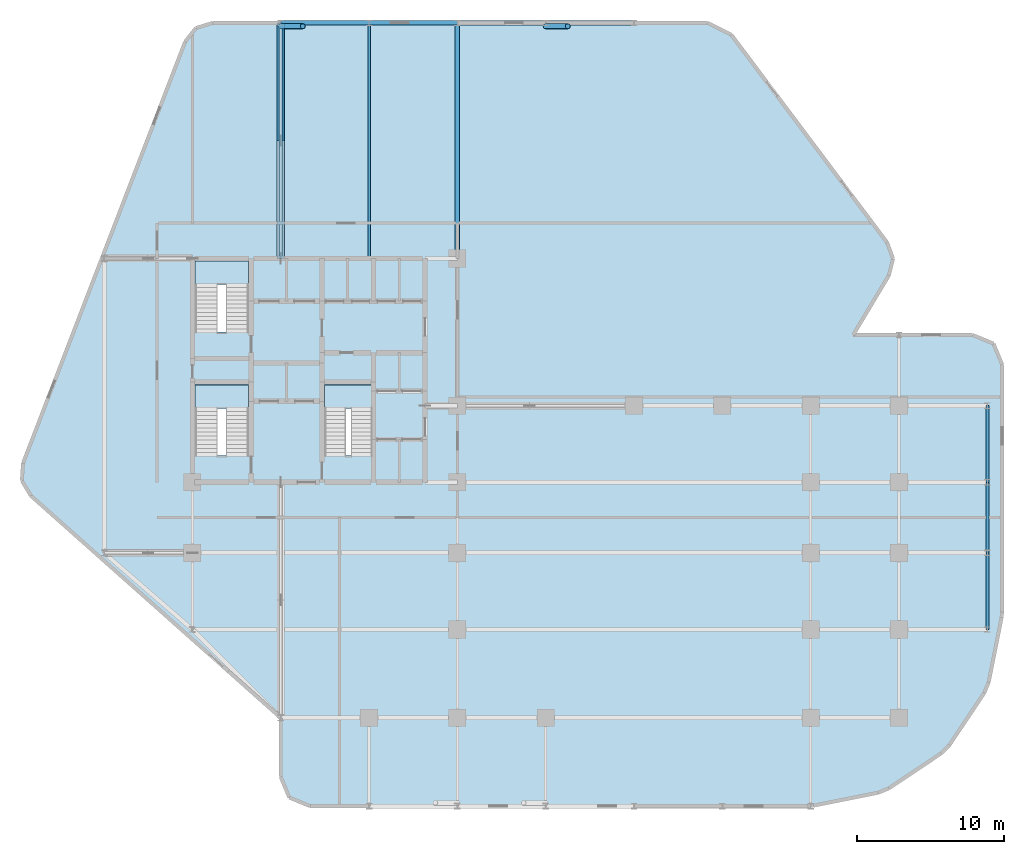
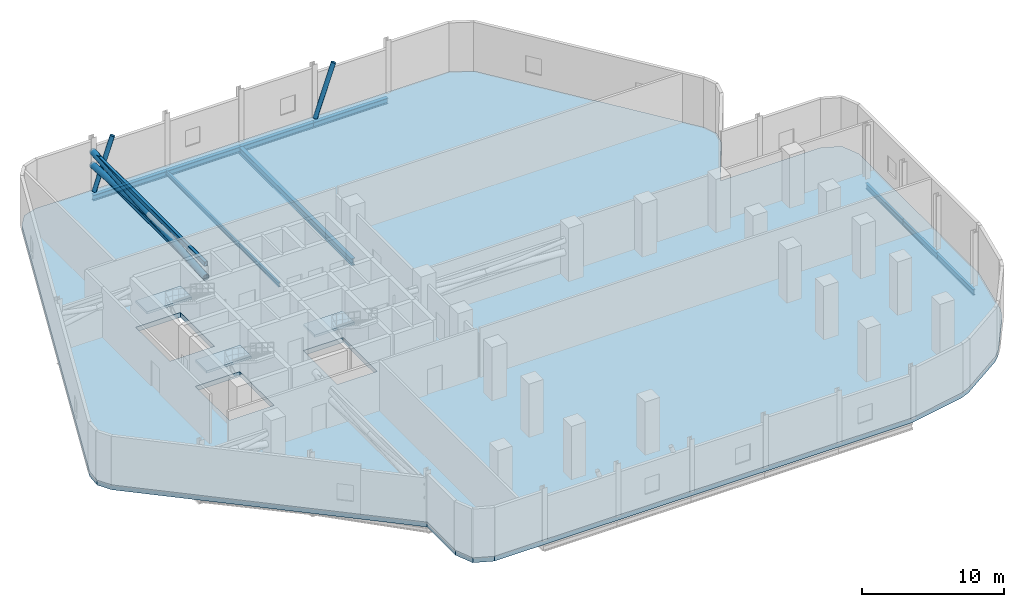
# One storey, part 4 of 9: 9 beams, 6 members, 4 slabs, 3 elements without a shape of their own.
"""IFC4 building model written with IfcOpenShell, lengths in metres."""

from ifc_helpers import new_model, si_unit, direction, frame, origin, origin_2d, place, context, subcontext, project, spatial, polyline, hollow_rectangle, hollow_circle, i_section, outline, extrude, material, layer, layer_set, material_profile, profile_set, type_object, element, aggregate, save


model = new_model("IFC4")

# Units and contexts
model_context = context("Model", 3, precision=1e-05, world=origin(), true_north=direction((0.0, 1.0)))
body_context = subcontext(model_context, "Body", "Model", "MODEL_VIEW")
ifc_project = project(units=[si_unit("LENGTHUNIT", "METRE"), si_unit("AREAUNIT", "SQUARE_METRE"), si_unit("VOLUMEUNIT", "CUBIC_METRE"), si_unit("PLANEANGLEUNIT", "RADIAN"), si_unit("MASSUNIT", "GRAM", prefix="KILO")], contexts=[model_context])

# Site, building, storey
site_placement = place(None, origin())
site = spatial("IfcSite", under=ifc_project, at=site_placement, CompositionType="ELEMENT")
building_placement = place(site_placement, origin())
building = spatial("IfcBuilding", under=site, at=building_placement, Name="Keshet Zoharim Tower", CompositionType="ELEMENT")
storey_placement = place(building_placement, frame((0.0, 0.0, 61.0)))
storey = spatial("IfcBuildingStorey", under=building, at=storey_placement, Name="L14", CompositionType="ELEMENT", Elevation=61.0)

# Beams
ifc_material_1 = material(Name="Steel S355", Category="steel")
ifc_material_profile_1 = material_profile(ifc_material_1, i_section(OverallWidth=0.169921875, OverallDepth=0.360107421875, WebThickness=0.008056640625, FlangeThickness=0.0126953125, FilletRadius=0.01806640625, at=origin_2d()), Name="IPE360")
ifc_profile_set_1 = profile_set([ifc_material_profile_1], Name="Steel S355")
beam_type_1 = type_object("IfcBeamType", Name="BM-JST-IP360", PredefinedType="JOIST", material=ifc_profile_set_1)
beam_1_placement = place(storey_placement, frame((27.0, 37.89990234375, -0.60009765625), z_axis=(0.0, 1.0, 0.0), x_axis=(-1.0, 0.0, 0.0)))
element("IfcBeam", 1, at=beam_1_placement, inside=storey, type_object=beam_type_1, Name="L14 Secondary Floor Joist J-002", PredefinedType="JOIST", context=body_context, shape_type="SweptSolid", body=[
    extrude(i_section(OverallWidth=0.169921875, OverallDepth=0.360107421875, WebThickness=0.008056640625, FlangeThickness=0.0126953125, FilletRadius=0.01806640625, at=origin_2d()), origin(), (0.0, 0.0, 1.0), 16.0),
])
ifc_material_profile_2 = material_profile(ifc_material_1, i_section(OverallWidth=0.300048828125, OverallDepth=0.60009765625, WebThickness=0.015380859375, FlangeThickness=0.030029296875, FilletRadius=0.027099609375, at=origin_2d()), Name="HEB600")
ifc_profile_set_2 = profile_set([ifc_material_profile_2], Name="Steel S355")
beam_type_2 = type_object("IfcBeamType", Name="BM-LNG-HB600", PredefinedType="BEAM", material=ifc_profile_set_2)
beam_2_placement = place(storey_placement, frame((33.0, 37.89990234375, -0.719970703125), z_axis=(0.0, 1.0, 0.0), x_axis=(-1.0, 0.0, 0.0)))
element("IfcBeam", 2, at=beam_2_placement, inside=storey, type_object=beam_type_2, Name="L14 Primary Girder Y-011", PredefinedType="BEAM", context=body_context, shape_type="SweptSolid", body=[
    extrude(i_section(OverallWidth=0.300048828125, OverallDepth=0.60009765625, WebThickness=0.015380859375, FlangeThickness=0.030029296875, FilletRadius=0.027099609375, at=origin_2d()), origin(), (0.0, 0.0, 1.0), 16.0),
])
ifc_material_profile_3 = material_profile(ifc_material_1, i_section(OverallWidth=0.199951171875, OverallDepth=0.5, WebThickness=0.01025390625, FlangeThickness=0.01611328125, FilletRadius=0.02099609375, at=origin_2d()), Name="IPE500")
ifc_profile_set_3 = profile_set([ifc_material_profile_3], Name="Steel S355")
beam_type_3 = type_object("IfcBeamType", Name="BM-PRI-IP500", PredefinedType="BEAM", material=ifc_profile_set_3)
beam_3_placement = place(storey_placement, frame((69.0, 12.699951171875, -0.669921875), z_axis=(0.0, 1.0, 0.0), x_axis=(-1.0, 0.0, 0.0)))
element("IfcBeam", 3, at=beam_3_placement, inside=storey, type_object=beam_type_3, Name="L14 Primary Girder Y-023", PredefinedType="BEAM", context=body_context, shape_type="SweptSolid", body=[
    extrude(i_section(OverallWidth=0.199951171875, OverallDepth=0.5, WebThickness=0.01025390625, FlangeThickness=0.01611328125, FilletRadius=0.02099609375, at=origin_2d()), origin(), (0.0, 0.0, 1.0), 5.199951171875),
])
beam_4_placement = place(storey_placement, frame((69.0, 17.89990234375, -0.669921875), z_axis=(0.0, 1.0, 0.0), x_axis=(-1.0, 0.0, 0.0)))
element("IfcBeam", 4, at=beam_4_placement, inside=storey, type_object=beam_type_3, Name="L14 Primary Girder Y-024", PredefinedType="BEAM", context=body_context, shape_type="SweptSolid", body=[
    extrude(i_section(OverallWidth=0.199951171875, OverallDepth=0.5, WebThickness=0.01025390625, FlangeThickness=0.01611328125, FilletRadius=0.02099609375, at=origin_2d()), origin(), (0.0, 0.0, 1.0), 4.800048828125),
])
beam_5_placement = place(storey_placement, frame((69.0, 22.699951171875, -0.669921875), z_axis=(0.0, 1.0, 0.0), x_axis=(-1.0, 0.0, 0.0)))
element("IfcBeam", 5, at=beam_5_placement, inside=storey, type_object=beam_type_3, Name="L14 Primary Girder Y-025", PredefinedType="BEAM", context=body_context, shape_type="SweptSolid", body=[
    extrude(i_section(OverallWidth=0.199951171875, OverallDepth=0.5, WebThickness=0.01025390625, FlangeThickness=0.01611328125, FilletRadius=0.02099609375, at=origin_2d()), origin(), (0.0, 0.0, 1.0), 5.199951171875),
])
ifc_material_profile_4 = material_profile(ifc_material_1, i_section(OverallWidth=0.300048828125, OverallDepth=0.5, WebThickness=0.014404296875, FlangeThickness=0.028076171875, FilletRadius=0.027099609375, at=origin_2d()), Name="HEB500")
ifc_profile_set_4 = profile_set([ifc_material_profile_4], Name="Steel S355")
beam_type_4 = type_object("IfcBeamType", Name="BM-WEB-HB500", PredefinedType="BEAM", material=ifc_profile_set_4)
for number, where, z_axis, x_axis, name in (
    (6, (21.0, 53.89990234375, -0.669921875), (1.0, 0.0, 0.0), (0.0, 1.0, 0.0), "L14 Primary Girder X-029"),
    (7, (27.0, 53.89990234375, -0.669921875), (1.0, 0.0, 0.0), (0.0, 1.0, 0.0), "L14 Primary Girder X-030"),
    (8, (33.0, 53.89990234375, -0.669921875), (1.0, 0.0, 0.0), (0.0, 1.0, 0.0), "L14 Primary Girder X-031"),
    (9, (39.0, 53.89990234375, -0.669921875), (1.0, 0.0, 0.0), (0.0, 1.0, 0.0), "L14 Primary Girder X-032"),
):
    element("IfcBeam", number, at=place(storey_placement, frame(where, z_axis=z_axis, x_axis=x_axis)), inside=storey, type_object=beam_type_4, Name=name, PredefinedType="BEAM", context=body_context, shape_type="SweptSolid", body=[
        extrude(i_section(OverallWidth=0.300048828125, OverallDepth=0.5, WebThickness=0.014404296875, FlangeThickness=0.028076171875, FilletRadius=0.027099609375, at=origin_2d()), origin(), (0.0, 0.0, 1.0), 6.0),
    ])

# Members
ifc_material_profile_5 = material_profile(ifc_material_1, hollow_circle(Radius=0.177734375, WallThickness=0.012451171875, at=origin_2d()), Name="CHS355x12.5")
ifc_profile_set_5 = profile_set([ifc_material_profile_5], Name="Steel S355")
member_type_1 = type_object("IfcMemberType", Name="MB-BR-C355", PredefinedType="BRACE", material=ifc_profile_set_5)
for number, where, z_axis, x_axis, name in (
    (10, (21.0, 53.679931640625, 0.0), (0.330741244868, 0.0, 0.943721478479), (0.0, 1.0, 0.0), "L14 Perimeter Tube Brace 01"),
    (11, (39.0, 53.679931640625, 0.0), (0.330741244868, 0.0, 0.943721478479), (0.0, 1.0, 0.0), "L14 Perimeter Tube Brace 04"),
):
    element("IfcMember", number, at=place(storey_placement, frame(where, z_axis=z_axis, x_axis=x_axis)), inside=storey, type_object=member_type_1, Name=name, PredefinedType="BRACE", context=body_context, shape_type="SweptSolid", body=[
        extrude(hollow_circle(Radius=0.177734375, WallThickness=0.012451171875, at=origin_2d()), origin(), (0.0, 0.0, 1.0), 4.53515625),
    ])
ifc_material_profile_6 = material_profile(ifc_material_1, hollow_circle(Radius=0.25390625, WallThickness=0.02001953125, at=origin_2d()), Name="CHS508x20")
ifc_profile_set_6 = profile_set([ifc_material_profile_6], Name="Steel S355")
member_type_2 = type_object("IfcMemberType", Name="MB-OUTR-C508", PredefinedType="BRACE", material=ifc_profile_set_6)
member_1_placement = place(storey_placement, frame((21.0, 37.89990234375, 2.14990234375), z_axis=(0.0, 0.997336289348, 0.072940564497), x_axis=(-1.0, 0.0, 0.0)))
element("IfcMember", 12, at=member_1_placement, inside=storey, type_object=member_type_2, Name="L14 Core Outrigger Continuous Brace 1-N1", PredefinedType="BRACE", context=body_context, shape_type="SweptSolid", body=[
    extrude(hollow_circle(Radius=0.25390625, WallThickness=0.02001953125, at=origin_2d()), origin(), (0.0, 0.0, 1.0), 16.042724609375),
])
member_2_placement = place(storey_placement, frame((21.0, 53.89990234375, 2.14990234375), z_axis=(0.0, -0.997335182171, 0.07295570165), x_axis=(1.0, 0.0, 0.0)))
element("IfcMember", 13, at=member_2_placement, inside=storey, type_object=member_type_2, Name="L14 Core Outrigger Split Brace 2A-N1", PredefinedType="BRACE", context=body_context, shape_type="SweptSolid", body=[
    extrude(hollow_circle(Radius=0.25390625, WallThickness=0.02001953125, at=origin_2d()), origin(), (0.0, 0.0, 1.0), 8.021484375),
])
ifc_material_profile_7 = material_profile(ifc_material_1, hollow_rectangle(XDim=0.199951171875, YDim=0.300048828125, WallThickness=0.012451171875, InnerFilletRadius=0.011962890625, OuterFilletRadius=0.01904296875, at=origin_2d()), Name="RHS300x200x12.5")
ifc_profile_set_7 = profile_set([ifc_material_profile_7], Name="Steel S355")
member_type_3 = type_object("IfcMemberType", Name="MB-OUTR-S300", PredefinedType="STRUT", material=ifc_profile_set_7)
member_3_placement = place(storey_placement, frame((21.0, 37.89990234375, 2.14990234375), z_axis=(0.0, 1.0, 0.0), x_axis=(-1.0, 0.0, 0.0)))
element("IfcMember", 14, at=member_3_placement, inside=storey, type_object=member_type_3, Name="L14 Core Outrigger Bottom Strut N1", PredefinedType="STRUT", context=body_context, shape_type="SweptSolid", body=[
    extrude(hollow_rectangle(XDim=0.199951171875, YDim=0.300048828125, WallThickness=0.012451171875, InnerFilletRadius=0.011962890625, OuterFilletRadius=0.01904296875, at=origin_2d()), origin(), (0.0, 0.0, 1.0), 16.0),
])
ifc_material_profile_8 = material_profile(ifc_material_1, hollow_rectangle(XDim=0.25, YDim=0.35009765625, WallThickness=0.01416015625, InnerFilletRadius=0.013916015625, OuterFilletRadius=0.02099609375, at=origin_2d()), Name="RHS350x250x14.2")
ifc_profile_set_8 = profile_set([ifc_material_profile_8], Name="Steel S355")
member_type_4 = type_object("IfcMemberType", Name="MB-OUTR-T350", PredefinedType="CHORD", material=ifc_profile_set_8)
member_4_placement = place(storey_placement, frame((21.0, 37.89990234375, 3.320068359375), z_axis=(0.0, 1.0, 0.0), x_axis=(-1.0, 0.0, 0.0)))
element("IfcMember", 15, at=member_4_placement, inside=storey, type_object=member_type_4, Name="L14 Core Outrigger Top Chord N1", PredefinedType="CHORD", context=body_context, shape_type="SweptSolid", body=[
    extrude(hollow_rectangle(XDim=0.25, YDim=0.35009765625, WallThickness=0.01416015625, InnerFilletRadius=0.013916015625, OuterFilletRadius=0.02099609375, at=origin_2d()), origin(), (0.0, 0.0, 1.0), 16.0),
])

# Stair, slab
ifc_material_2 = material(Name="Concrete C50/60", Category="concrete")
stair_type = type_object("IfcStairType", Name="STR-EXIT-135", PredefinedType="HALF_TURN_STAIR", material=ifc_material_2)
stair_1_placement = place(storey_placement, origin())
stair_1 = element("IfcStair", 16, at=stair_1_placement, inside=storey, type_object=stair_type, Name="L14 Enclosed Exit Stair ST-01", PredefinedType="HALF_TURN_STAIR")
ifc_layer_1 = layer(ifc_material_2, 0.199951171875)
ifc_layer_set_1 = layer_set([ifc_layer_1], Name="Concrete C50/60")
slab_type_1 = type_object("IfcSlabType", Name="SLB-LND-200", PredefinedType="LANDING", material=ifc_layer_set_1)
slab_1_placement = place(storey_placement, frame((0.0, 0.0, 2.10009765625)))
slab_1 = element("IfcSlab", 17, at=slab_1_placement, type_object=slab_type_1, Name="ST-01 landing 1", PredefinedType="LANDING", context=body_context, shape_type="SweptSolid", body=[
    extrude(outline(polyline([(15.179931640625, 27.719970703125), (18.820068359375, 27.719970703125), (18.820068359375, 29.320068359375), (15.179931640625, 29.320068359375), (15.179931640625, 27.719970703125)])), origin(), (0.0, 0.0, 1.0), 0.199951171875),
])
aggregate(stair_1, [slab_1])

stair_2_placement = place(storey_placement, origin())
stair_2 = element("IfcStair", 18, at=stair_2_placement, inside=storey, type_object=stair_type, Name="L14 Enclosed Exit Stair ST-02", PredefinedType="HALF_TURN_STAIR")
slab_2_placement = place(storey_placement, frame((0.0, 0.0, 2.10009765625)))
slab_2 = element("IfcSlab", 19, at=slab_2_placement, type_object=slab_type_1, Name="ST-02 landing 1", PredefinedType="LANDING", context=body_context, shape_type="SweptSolid", body=[
    extrude(outline(polyline([(15.179931640625, 36.1201171875), (18.820068359375, 36.1201171875), (18.820068359375, 37.719970703125), (15.179931640625, 37.719970703125), (15.179931640625, 36.1201171875)])), origin(), (0.0, 0.0, 1.0), 0.199951171875),
])
aggregate(stair_2, [slab_2])

stair_3_placement = place(storey_placement, origin())
stair_3 = element("IfcStair", 20, at=stair_3_placement, inside=storey, type_object=stair_type, Name="L14 Enclosed Exit Stair ST-03", PredefinedType="HALF_TURN_STAIR")
slab_3_placement = place(storey_placement, frame((0.0, 0.0, 2.10009765625)))
slab_3 = element("IfcSlab", 21, at=slab_3_placement, type_object=slab_type_1, Name="ST-03 landing 1", PredefinedType="LANDING", context=body_context, shape_type="SweptSolid", body=[
    extrude(outline(polyline([(23.97998046875, 27.719970703125), (27.219970703125, 27.719970703125), (27.219970703125, 29.320068359375), (23.97998046875, 29.320068359375), (23.97998046875, 27.719970703125)])), origin(), (0.0, 0.0, 1.0), 0.199951171875),
])
aggregate(stair_3, [slab_3])

# Slab
ifc_material_3 = material(Name="Concrete C60/75", Category="concrete")
ifc_layer_2 = layer(ifc_material_3, 0.419921875)
ifc_layer_set_2 = layer_set([ifc_layer_2], Name="Concrete C60/75")
slab_type_2 = type_object("IfcSlabType", Name="SLB-XFER-350", PredefinedType="FLOOR", material=ifc_layer_set_2)
slab_4_placement = place(storey_placement, frame((0.0, 0.0, -0.419921875)))
element("IfcSlab", 22, at=slab_4_placement, inside=storey, type_object=slab_type_2, Name="L14 Structural Floor Slab 1", PredefinedType="FLOOR", context=body_context, shape_type="SweptSolid", body=[
    extrude(outline(polyline([(21.0, 6.699951171875), (4.034912109375, 21.780029296875), (3.419921875, 22.802001953125), (3.4970703125, 23.992919921875), (14.507080078125, 52.617919921875), (15.240966796875, 53.549072265625), (16.3740234375, 53.89990234375), (50.0, 53.89990234375), (51.60009765625, 53.10009765625), (62.193115234375, 38.97607421875), (62.590087890625, 37.87890625), (62.30810546875, 36.7470703125), (59.8798828125, 32.699951171875), (68.0, 32.699951171875), (69.4140625, 32.114013671875), (70.0, 30.699951171875), (70.0, 13.89697265625), (69.9619140625, 13.507080078125), (69.087890625, 9.114990234375), (68.7890625, 8.39404296875), (66.4130859375, 4.837890625), (65.862060546875, 4.287109375), (62.305908203125, 1.910888671875), (61.5849609375, 1.612060546875), (57.193115234375, 0.738037109375), (56.802978515625, 0.699951171875), (23.0, 0.699951171875), (21.5859375, 1.285888671875), (21.0, 2.699951171875), (21.0, 6.699951171875)]), holes=[polyline([(15.179931640625, 24.52001953125), (18.820068359375, 24.52001953125), (18.820068359375, 29.320068359375), (15.179931640625, 29.320068359375), (15.179931640625, 24.52001953125)]), polyline([(15.179931640625, 32.919921875), (18.820068359375, 32.919921875), (18.820068359375, 37.719970703125), (15.179931640625, 37.719970703125), (15.179931640625, 32.919921875)]), polyline([(23.97998046875, 24.52001953125), (27.219970703125, 24.52001953125), (27.219970703125, 29.320068359375), (23.97998046875, 29.320068359375), (23.97998046875, 24.52001953125)])]), origin(), (0.0, 0.0, 1.0), 0.419921875),
])

save(model, "model.ifc")
